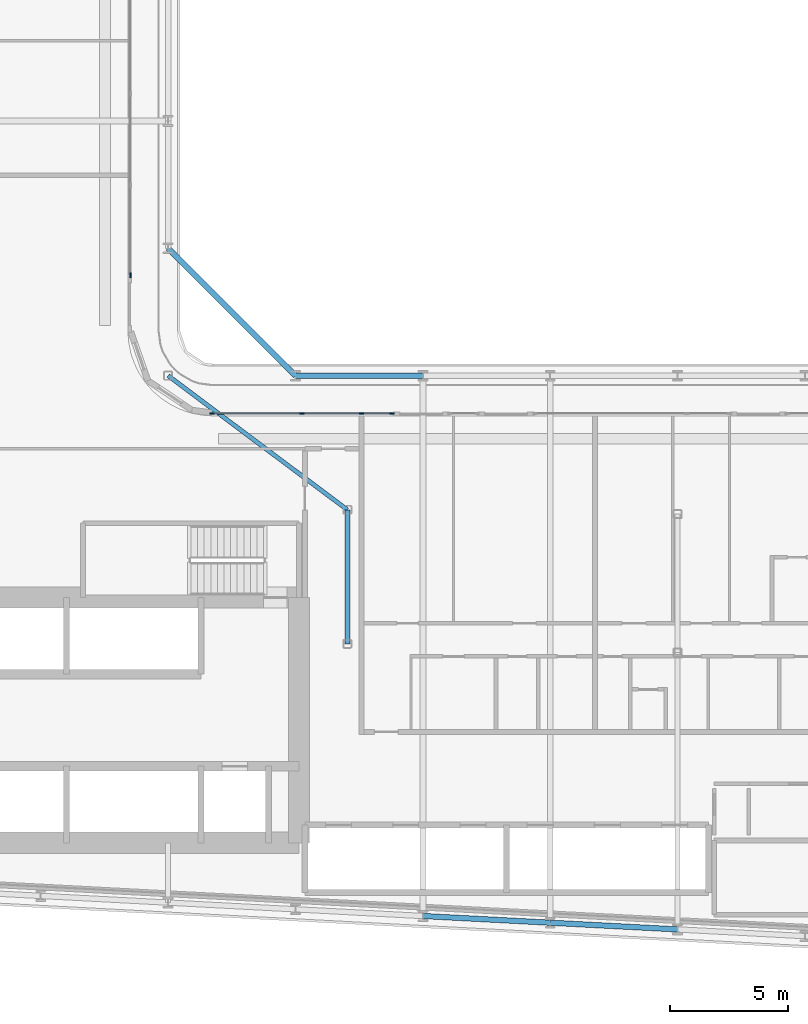
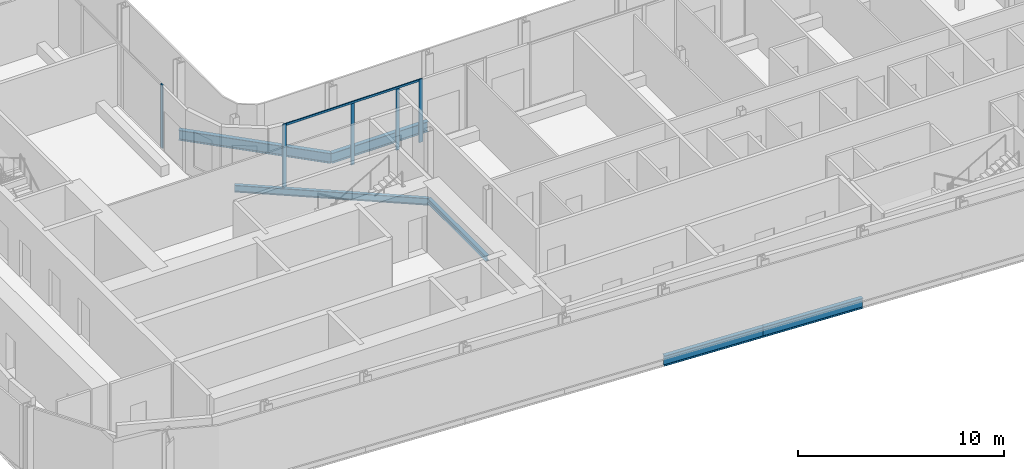
# One storey, part 4 of 28: 6 beams, 6 members, 2 elements without a shape of their own.
"""IFC4 building model written with IfcOpenShell, lengths in metres."""

import ifcopenshell
import ifcopenshell.guid

model = None  # the IFC model being written
_history = None  # IfcOwnerHistory: only IFC2X3 demands one
_inside = {}  # id of a spatial element -> (the spatial element, [elements in it])
_under = {}  # id of a project, library or spatial element -> (it, [spatial elements below it])
_declared = {}  # id of a project -> (the project, [libraries it declares])
_typed = {}  # id of a type object -> (the type object, [elements of that type])
_made_of = {}  # id of a material, layer set ... -> (it, [elements and type objects made of it])


def new_model(schema):
    """Start an empty IFC model of exactly this schema.

    Asked for "IFC4X3", IfcOpenShell would pick the latest addendum, in which some entities
    have other attributes; the version numbers below select the first issue.
    IFC2X3 requires an IfcOwnerHistory on every rooted entity: one is made here for all.
    """
    global model, _history
    if schema == "IFC4X3":
        model = ifcopenshell.file(schema_version=(4, 3, 0, 0))
    else:
        model = ifcopenshell.file(schema=schema)
    _inside.clear()
    _under.clear()
    _declared.clear()
    _typed.clear()
    _made_of.clear()
    _history = None
    if model.schema == "IFC2X3":
        org = make("IfcOrganization", Name="unknown")
        user = make(
            "IfcPersonAndOrganization",
            ThePerson=make("IfcPerson", FamilyName="unknown"),
            TheOrganization=org,
        )
        app = make(
            "IfcApplication",
            ApplicationDeveloper=org,
            Version="unknown",
            ApplicationFullName="unknown",
            ApplicationIdentifier="unknown",
        )
        _history = make(
            "IfcOwnerHistory",
            OwningUser=user,
            OwningApplication=app,
            ChangeAction="ADDED",
            CreationDate=0,
        )
    return model


def make(cls, **values):
    """One entity of the class cls with the attributes given. An attribute that is None is left unset."""
    return model.create_entity(
        cls, **{name: value for name, value in values.items() if value is not None}
    )


def rooted(cls, **values):
    """An entity with a GlobalId (a new one), such as an element, a storey or a relation."""
    return make(cls, GlobalId=ifcopenshell.guid.new(), OwnerHistory=_history, **values)


def si_unit(unit_type, name, prefix=None):
    """IfcSIUnit, for example si_unit("LENGTHUNIT", "METRE", prefix="MILLI")."""
    return make("IfcSIUnit", UnitType=unit_type, Prefix=prefix, Name=name)


def assignment(units):
    """IfcUnitAssignment: the units of a project."""
    return None if units is None else make("IfcUnitAssignment", Units=units)


def point(xyz):
    """IfcCartesianPoint."""
    return None if xyz is None else make("IfcCartesianPoint", Coordinates=xyz)


def direction(xyz):
    """IfcDirection."""
    return None if xyz is None else make("IfcDirection", DirectionRatios=xyz)


def frame(location, z_axis=None, x_axis=None):
    """IfcAxis2Placement3D, a coordinate frame: its origin and axes. An axis left out is left unset."""
    return make(
        "IfcAxis2Placement3D",
        Location=point(location),
        Axis=direction(z_axis),
        RefDirection=direction(x_axis),
    )


def frame_2d(location, x_axis=None):
    """IfcAxis2Placement2D, a coordinate frame in the plane: its origin and x axis."""
    return make(
        "IfcAxis2Placement2D", Location=point(location), RefDirection=direction(x_axis)
    )


def origin():
    """The frame at (0, 0, 0) with its axes left unset."""
    return frame((0.0, 0.0, 0.0))


def origin_2d():
    """The frame at (0, 0) in the plane with its x axis left unset."""
    return frame_2d((0.0, 0.0))


def place(relative_to, where):
    """IfcLocalPlacement: puts the frame where relative to a parent placement (None: the world)."""
    return make(
        "IfcLocalPlacement", PlacementRelTo=relative_to, RelativePlacement=where
    )


def context(
    kind, dimensions, precision=None, world=None, true_north=None, identifier=None
):
    """IfcGeometricRepresentationContext, for example the 3D "Model" context."""
    return make(
        "IfcGeometricRepresentationContext",
        ContextIdentifier=identifier,
        ContextType=kind,
        CoordinateSpaceDimension=dimensions,
        Precision=precision,
        WorldCoordinateSystem=world,
        TrueNorth=true_north,
    )


def subcontext(parent, identifier, kind, view, scale=None):
    """IfcGeometricRepresentationSubContext, for example "Body" below "Model"."""
    return make(
        "IfcGeometricRepresentationSubContext",
        ContextIdentifier=identifier,
        ContextType=kind,
        ParentContext=parent,
        TargetScale=scale,
        TargetView=view,
    )


def project(units=None, contexts=None):
    """IfcProject with its units and contexts."""
    return rooted(
        "IfcProject",
        Name="project",
        RepresentationContexts=contexts,
        UnitsInContext=assignment(units),
    )


def spatial(cls, under=None, at=None, **own):
    """A site, building, storey or space (cls), placed at a placement, below another one or the project."""
    s = rooted(cls, ObjectPlacement=at, **own)
    if under is not None:
        _under.setdefault(under.id(), (under, []))[1].append(s)
    return s


def profile(cls, at=None, kind="AREA", **sizes):
    """A parametric profile (cls). Its sizes go by their IFC names, for example OverallWidth=200.0."""
    return make(cls, ProfileType=kind, Position=at, **sizes)


def rectangle(**sizes):
    """IfcRectangleProfileDef."""
    return profile("IfcRectangleProfileDef", **sizes)


def i_section(**sizes):
    """IfcIShapeProfileDef."""
    return profile("IfcIShapeProfileDef", **sizes)


def extrude(swept, where, along, depth):
    """IfcExtrudedAreaSolid: the profile swept, set in the frame where, extruded along a direction by depth."""
    return make(
        "IfcExtrudedAreaSolid",
        SweptArea=swept,
        Position=where,
        ExtrudedDirection=direction(along),
        Depth=depth,
    )


def shape(context_of_items, identifier, shape_type, items):
    """IfcShapeRepresentation: the items that make up one representation, for example the "Body"."""
    return make(
        "IfcShapeRepresentation",
        ContextOfItems=context_of_items,
        RepresentationIdentifier=identifier,
        RepresentationType=shape_type,
        Items=items,
    )


def material(Name=None, Category=None):
    """IfcMaterial."""
    return make("IfcMaterial", Name=Name, Category=Category)


def layer(
    of_material, thickness, ventilated=None, Name=None, Category=None, Priority=None
):
    """IfcMaterialLayer: one layer of a wall or slab, of a material (None: an air gap)."""
    return make(
        "IfcMaterialLayer",
        Material=of_material,
        LayerThickness=thickness,
        IsVentilated=ventilated,
        Name=Name,
        Category=Category,
        Priority=Priority,
    )


def layer_set(layers, Name=None):
    """IfcMaterialLayerSet."""
    return make("IfcMaterialLayerSet", MaterialLayers=layers, LayerSetName=Name)


def material_profile(
    of_material, cross_section, Name=None, Category=None, Priority=None
):
    """IfcMaterialProfile: a cross section and its material."""
    return make(
        "IfcMaterialProfile",
        Name=Name,
        Material=of_material,
        Profile=cross_section,
        Priority=Priority,
        Category=Category,
    )


def profile_set(profiles, Name=None, composite=None):
    """IfcMaterialProfileSet."""
    return make(
        "IfcMaterialProfileSet",
        Name=Name,
        MaterialProfiles=profiles,
        CompositeProfile=composite,
    )


def made_of(thing, what):
    """Note that an element or type object is made of a material, layer set ...; save() writes the relation."""
    if what is not None:
        _made_of.setdefault(what.id(), (what, []))[1].append(thing)
    return thing


def type_object(cls, material=None, **own):
    """A type object (cls), such as IfcWallType, which elements share."""
    return made_of(rooted(cls, **own), material)


def element(
    cls,
    number,
    at=None,
    inside=None,
    cuts=None,
    type_object=None,
    material=None,
    context=None,
    identifier="Body",
    shape_type=None,
    held_by="IfcProductDefinitionShape",
    body=None,
    shapes=None,
    **own,
):
    """One element of the class cls, such as IfcWall. Its Tag is "e" and its number.

    at: its placement. inside: the storey or other place that contains it. cuts: it is an
    opening in that element (IfcRelVoidsElement). A single representation is given by context,
    identifier, shape_type and body (its items); several are given by shapes. held_by: the class
    of the entity that holds the representations. save() writes the other relations.
    """
    e = rooted(cls, Tag="e%d" % number, ObjectPlacement=at, **own)
    if body is not None:
        shapes = [shape(context, identifier, shape_type, body)]
    if shapes is not None:
        e.Representation = make(held_by, Representations=shapes)
    if inside is not None:
        _inside.setdefault(inside.id(), (inside, []))[1].append(e)
    if cuts is not None:
        rooted(
            "IfcRelVoidsElement", RelatingBuildingElement=cuts, RelatedOpeningElement=e
        )
    if type_object is not None:
        _typed.setdefault(type_object.id(), (type_object, []))[1].append(e)
    return made_of(e, material)


def aggregate(whole, parts):
    """IfcRelAggregates: a whole, such as a stair, and the parts it consists of."""
    return rooted("IfcRelAggregates", RelatingObject=whole, RelatedObjects=parts)


def save(model, path):
    """Write the relations noted so far, then the file.

    IfcRelAggregates (storeys below a building ...), IfcRelContainedInSpatialStructure (elements
    in a storey), IfcRelDefinesByType, IfcRelAssociatesMaterial and IfcRelDeclares: one each for
    every whole, place, type object, material and project.
    """
    for whole, parts in _under.values():
        aggregate(whole, parts)
    for where, things in _inside.values():
        rooted(
            "IfcRelContainedInSpatialStructure",
            RelatedElements=things,
            RelatingStructure=where,
        )
    for kind, things in _typed.values():
        rooted("IfcRelDefinesByType", RelatedObjects=things, RelatingType=kind)
    for what, things in _made_of.values():
        rooted("IfcRelAssociatesMaterial", RelatedObjects=things, RelatingMaterial=what)
    for by, libraries in _declared.values():
        rooted("IfcRelDeclares", RelatingContext=by, RelatedDefinitions=libraries)
    model.write(path)


model = new_model("IFC4")

# Units and contexts
model_context = context("Model", 3, precision=1e-05, world=origin(), true_north=direction((0.0, 1.0)))
body_context = subcontext(model_context, "Body", "Model", "MODEL_VIEW")
ifc_project = project(units=[si_unit("LENGTHUNIT", "METRE"), si_unit("AREAUNIT", "SQUARE_METRE"), si_unit("VOLUMEUNIT", "CUBIC_METRE"), si_unit("PLANEANGLEUNIT", "RADIAN"), si_unit("MASSUNIT", "GRAM", prefix="KILO")], contexts=[model_context])

# Site, building, storey
site_placement = place(None, origin())
site = spatial("IfcSite", under=ifc_project, at=site_placement, CompositionType="ELEMENT")
building_placement = place(site_placement, origin())
building = spatial("IfcBuilding", under=site, at=building_placement, Name="Kheshtan School and Residences Tower", CompositionType="ELEMENT")
storey_placement = place(building_placement, frame((0.0, 0.0, 129.199951171875)))
storey = spatial("IfcBuildingStorey", under=building, at=storey_placement, Name="L30", CompositionType="ELEMENT", Elevation=129.199951171875)

# Beams
ifc_material_1 = material(Name="Steel ASTM A992 Grade 50", Category="steel")
ifc_material_profile_1 = material_profile(ifc_material_1, i_section(OverallWidth=0.202880859375, OverallDepth=0.302978515625, WebThickness=0.007568359375, FlangeThickness=0.01318359375, FilletRadius=0.009033203125, at=origin_2d()), Name="W310x60")
ifc_profile_set_1 = profile_set([ifc_material_profile_1], Name="Steel ASTM A992 Grade 50")
beam_type_1 = type_object("IfcBeamType", Name="Beam FB1 W310x60 ASTM A992 Grade 50", PredefinedType="BEAM", material=ifc_profile_set_1)
beam_1_placement = place(storey_placement, frame((55.199951171875, 34.23193359375, -0.301513671875), z_axis=(0.0, 1.0, 0.0), x_axis=(-1.0, 0.0, 0.0)))
element("IfcBeam", 1, at=beam_1_placement, inside=storey, type_object=beam_type_1, Name="Floor beam IC", PredefinedType="BEAM", context=body_context, shape_type="SweptSolid", body=[
    extrude(i_section(OverallWidth=0.202880859375, OverallDepth=0.302978515625, WebThickness=0.007568359375, FlangeThickness=0.01318359375, FilletRadius=0.009033203125, at=origin_2d()), origin(), (0.0, 0.0, 1.0), 5.68408203125),
])
ifc_material_profile_2 = material_profile(ifc_material_1, i_section(OverallWidth=0.180908203125, OverallDepth=0.4169921875, WebThickness=0.010986328125, FlangeThickness=0.018310546875, FilletRadius=0.012451171875, at=origin_2d()), Name="W410x85")
ifc_profile_set_2 = profile_set([ifc_material_profile_2], Name="Steel ASTM A992 Grade 50")
beam_type_2 = type_object("IfcBeamType", Name="Beam FB3 W410x85 ASTM A992 Grade 50", PredefinedType="BEAM", material=ifc_profile_set_2)
beam_2_placement = place(storey_placement, frame((47.60009765625, 45.60009765625, -0.3583984375), z_axis=(0.800798828004, -0.598933416222, 0.0), x_axis=(0.598933416222, 0.800798828004, 0.0)))
element("IfcBeam", 2, at=beam_2_placement, inside=storey, type_object=beam_type_2, Name="Floor beam IC", PredefinedType="BEAM", context=body_context, shape_type="SweptSolid", body=[
    extrude(i_section(OverallWidth=0.180908203125, OverallDepth=0.4169921875, WebThickness=0.010986328125, FlangeThickness=0.018310546875, FilletRadius=0.012451171875, at=origin_2d()), origin(), (0.0, 0.0, 1.0), 9.490234375),
])
ifc_material_profile_3 = material_profile(ifc_material_1, i_section(OverallWidth=0.22802734375, OverallDepth=0.60302734375, WebThickness=0.010498046875, FlangeThickness=0.014892578125, FilletRadius=0.013427734375, at=origin_2d()), Name="W610x101")
ifc_profile_set_3 = profile_set([ifc_material_profile_3], Name="Steel ASTM A992 Grade 50")
beam_type_3 = type_object("IfcBeamType", Name="Beam SP2 W610x101 ASTM A992 Grade 50", PredefinedType="BEAM", material=ifc_profile_set_3)
beam_3_placement = place(storey_placement, frame((47.60009765625, 51.0, -0.451416015625), z_axis=(0.707106781187, -0.707106781187, 0.0), x_axis=(0.707106781187, 0.707106781187, 0.0)))
element("IfcBeam", 3, at=beam_3_placement, inside=storey, type_object=beam_type_3, Name="Spandrel beam C079-C061", PredefinedType="BEAM", context=body_context, shape_type="SweptSolid", body=[
    extrude(i_section(OverallWidth=0.22802734375, OverallDepth=0.60302734375, WebThickness=0.010498046875, FlangeThickness=0.014892578125, FilletRadius=0.013427734375, at=origin_2d()), origin(), (0.0, 0.0, 1.0), 7.63671875),
])
beam_4_placement = place(storey_placement, frame((53.0, 45.60009765625, -0.451416015625), z_axis=(1.0, 0.0, 0.0), x_axis=(0.0, 1.0, 0.0)))
element("IfcBeam", 4, at=beam_4_placement, inside=storey, type_object=beam_type_3, Name="Spandrel beam C061-C062", PredefinedType="BEAM", context=body_context, shape_type="SweptSolid", body=[
    extrude(i_section(OverallWidth=0.22802734375, OverallDepth=0.60302734375, WebThickness=0.010498046875, FlangeThickness=0.014892578125, FilletRadius=0.013427734375, at=origin_2d()), origin(), (0.0, 0.0, 1.0), 5.39990234375),
])
beam_5_placement = place(storey_placement, frame((69.199951171875, 22.126953125, -0.451416015625), z_axis=(-0.998620447272, 0.05250906864, 0.0), x_axis=(-0.05250906864, -0.998620447272, 0.0)))
element("IfcBeam", 5, at=beam_5_placement, inside=storey, type_object=beam_type_3, Name="Spandrel beam C014-C016", PredefinedType="BEAM", context=body_context, shape_type="SweptSolid", body=[
    extrude(i_section(OverallWidth=0.22802734375, OverallDepth=0.60302734375, WebThickness=0.010498046875, FlangeThickness=0.014892578125, FilletRadius=0.013427734375, at=origin_2d()), origin(), (0.0, 0.0, 1.0), 5.407470703125),
])
beam_6_placement = place(storey_placement, frame((63.800048828125, 22.410888671875, -0.451416015625), z_axis=(-0.998618203458, 0.052551724256, 0.0), x_axis=(-0.052551724256, -0.998618203458, 0.0)))
element("IfcBeam", 6, at=beam_6_placement, inside=storey, type_object=beam_type_3, Name="Spandrel beam C016-C018", PredefinedType="BEAM", context=body_context, shape_type="SweptSolid", body=[
    extrude(i_section(OverallWidth=0.22802734375, OverallDepth=0.60302734375, WebThickness=0.010498046875, FlangeThickness=0.014892578125, FilletRadius=0.013427734375, at=origin_2d()), origin(), (0.0, 0.0, 1.0), 5.40771484375),
])

# Curtain wall, member
ifc_material_2 = material(Name="Clear low-e glass in thermally broken aluminium frame", Category="aluminium")
ifc_layer = layer(ifc_material_2, 0.199951171875)
ifc_layer_set = layer_set([ifc_layer], Name="Curtain wall CW-L")
curtain_wall_type = type_object("IfcCurtainWallType", Name="Curtain wall CW-L", PredefinedType="NOTDEFINED", material=ifc_layer_set)
curtain_wall_1_placement = place(storey_placement, origin())
curtain_wall_1 = element("IfcCurtainWall", 7, at=curtain_wall_1_placement, inside=storey, type_object=curtain_wall_type, Name="Curtain wall CWL8", PredefinedType="NOTDEFINED")
ifc_material_3 = material(Name="Thermally broken aluminium, dark bronze anodised", Category="aluminium")
ifc_material_profile_4 = material_profile(ifc_material_3, rectangle(XDim=0.06005859375, YDim=0.199951171875, at=origin_2d()), Name="CW-L mullion 60x200")
ifc_profile_set_4 = profile_set([ifc_material_profile_4], Name="Thermally broken aluminium, dark bronze anodised")
member_type_1 = type_object("IfcMemberType", Name="CW-L mullion 60x200", PredefinedType="MULLION", material=ifc_profile_set_4)
member_1_placement = place(storey_placement, frame((46.0, 49.860107421875, 0.0), z_axis=(0.0, 0.0, 1.0), x_axis=(1.0, 0.0, 0.0)))
member_1 = element("IfcMember", 8, at=member_1_placement, type_object=member_type_1, Name="CWL8 mullion 3", PredefinedType="MULLION", context=body_context, shape_type="SweptSolid", body=[
    extrude(rectangle(XDim=0.06005859375, YDim=0.199951171875, at=origin_2d()), origin(), (0.0, 0.0, 1.0), 3.75),
])
aggregate(curtain_wall_1, [member_1])

# Curtain wall, members
curtain_wall_2_placement = place(storey_placement, origin())
curtain_wall_2 = element("IfcCurtainWall", 9, at=curtain_wall_2_placement, inside=storey, type_object=curtain_wall_type, Name="Curtain wall CWL12k", PredefinedType="NOTDEFINED")
member_2_placement = place(storey_placement, frame((49.4599609375, 44.0, 0.0), z_axis=(0.0, 0.0, 1.0), x_axis=(0.0, 1.0, 0.0)))
member_2 = element("IfcMember", 10, at=member_2_placement, type_object=member_type_1, Name="CWL12k mullion 1", PredefinedType="MULLION", context=body_context, shape_type="SweptSolid", body=[
    extrude(rectangle(XDim=0.06005859375, YDim=0.199951171875, at=origin_2d()), origin(), (0.0, 0.0, 1.0), 3.75),
])
member_3_placement = place(storey_placement, frame((53.277099609375, 44.0, 0.0), z_axis=(0.0, 0.0, 1.0), x_axis=(0.0, 1.0, 0.0)))
member_3 = element("IfcMember", 11, at=member_3_placement, type_object=member_type_1, Name="CWL12k mullion 2", PredefinedType="MULLION", context=body_context, shape_type="SweptSolid", body=[
    extrude(rectangle(XDim=0.06005859375, YDim=0.199951171875, at=origin_2d()), origin(), (0.0, 0.0, 1.0), 3.630126953125),
])
member_4_placement = place(storey_placement, frame((55.800048828125, 44.0, 0.0), z_axis=(0.0, 0.0, 1.0), x_axis=(0.0, 1.0, 0.0)))
member_4 = element("IfcMember", 12, at=member_4_placement, type_object=member_type_1, Name="CWL12k mullion 3", PredefinedType="MULLION", context=body_context, shape_type="SweptSolid", body=[
    extrude(rectangle(XDim=0.06005859375, YDim=0.199951171875, at=origin_2d()), origin(), (0.0, 0.0, 1.0), 3.630126953125),
])
member_5_placement = place(storey_placement, frame((57.093994140625, 44.0, 0.0), z_axis=(0.0, 0.0, 1.0), x_axis=(0.0, 1.0, 0.0)))
member_5 = element("IfcMember", 13, at=member_5_placement, type_object=member_type_1, Name="CWL12k mullion 4", PredefinedType="MULLION", context=body_context, shape_type="SweptSolid", body=[
    extrude(rectangle(XDim=0.06005859375, YDim=0.199951171875, at=origin_2d()), origin(), (0.0, 0.0, 1.0), 3.75),
])
ifc_material_profile_5 = material_profile(ifc_material_3, rectangle(XDim=0.06005859375, YDim=0.1201171875, at=origin_2d()), Name="CW-L transom 60x120")
ifc_profile_set_5 = profile_set([ifc_material_profile_5], Name="Thermally broken aluminium, dark bronze anodised")
member_type_2 = type_object("IfcMemberType", Name="CW-L transom 60x120", PredefinedType="USERDEFINED", material=ifc_profile_set_5)
member_6_placement = place(storey_placement, frame((49.489990234375, 44.0, 3.68994140625), z_axis=(1.0, 0.0, 0.0), x_axis=(0.0, 1.0, 0.0)))
member_6 = element("IfcMember", 14, at=member_6_placement, type_object=member_type_2, Name="CWL12k transom 1", ObjectType="TRANSOM", PredefinedType="USERDEFINED", context=body_context, shape_type="SweptSolid", body=[
    extrude(rectangle(XDim=0.06005859375, YDim=0.1201171875, at=origin_2d()), origin(), (0.0, 0.0, 1.0), 7.573974609375),
])
aggregate(curtain_wall_2, [member_2, member_3, member_4, member_5, member_6])

save(model, "model.ifc")
